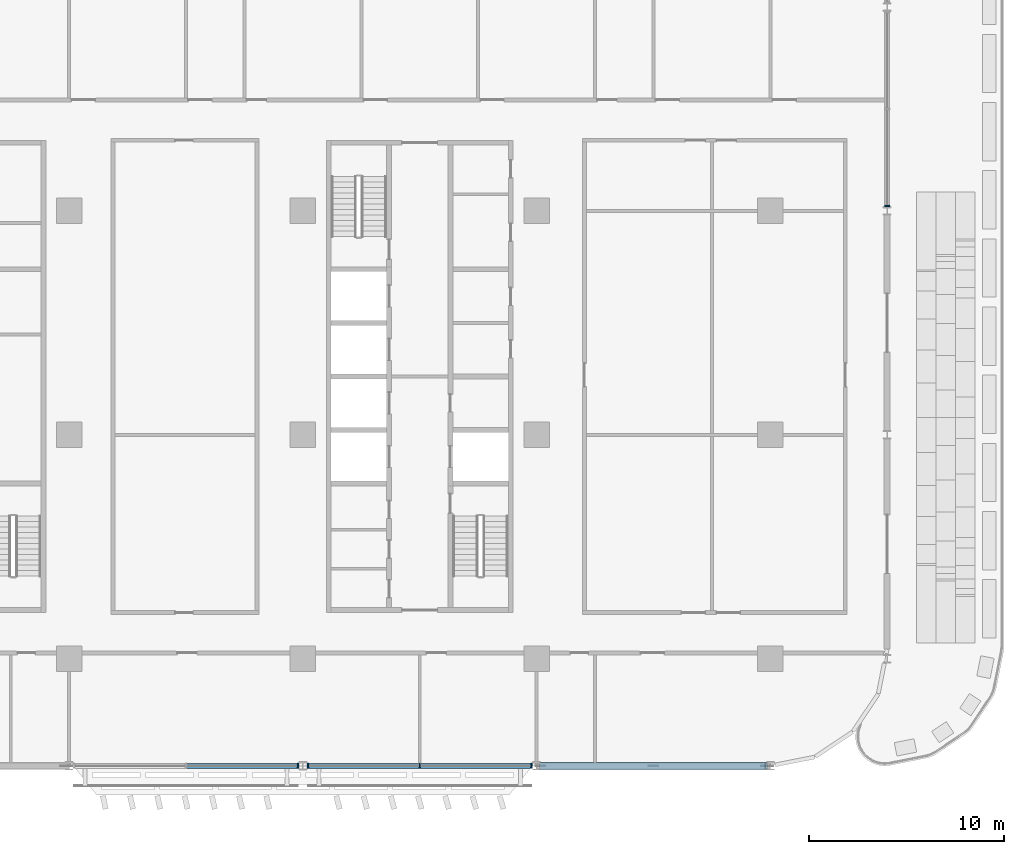
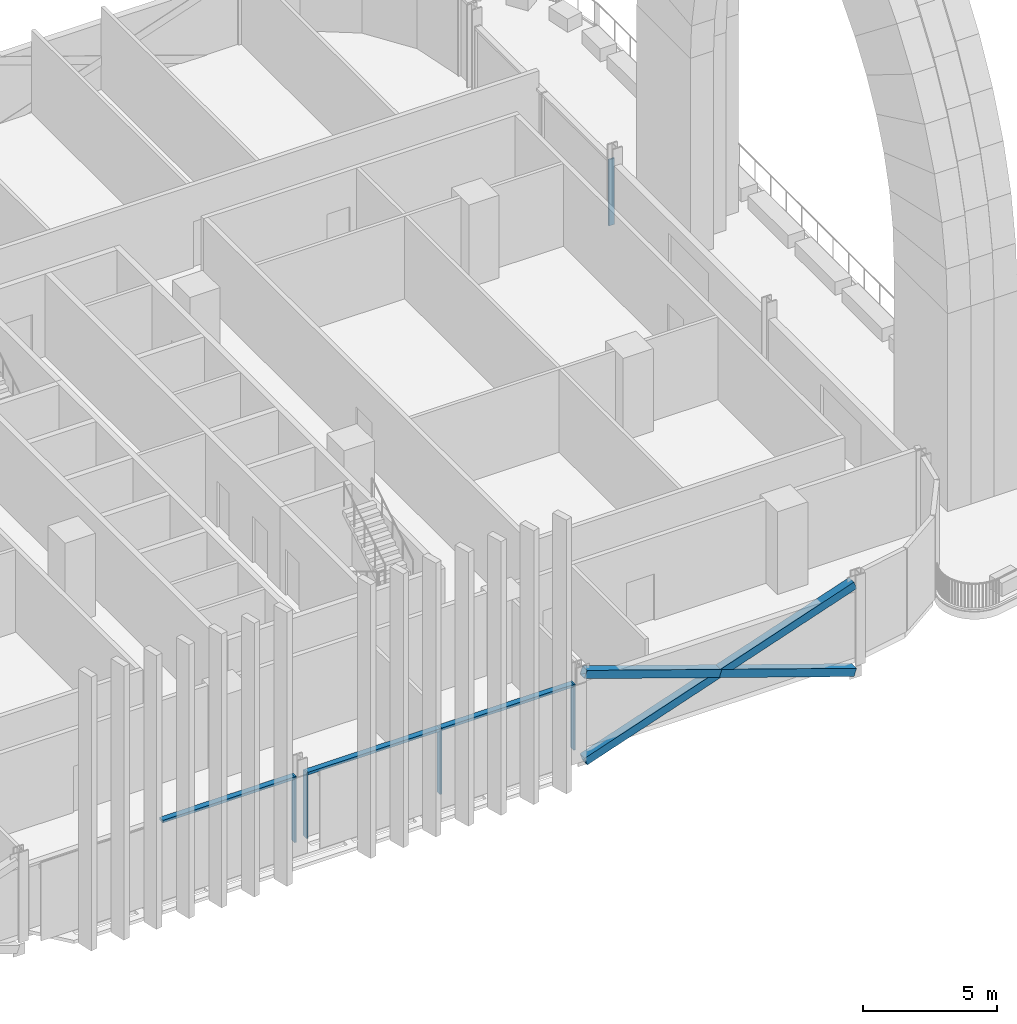
# One storey, part 7 of 33: 11 members, 3 elements without a shape of their own.
"""IFC4 building model written with IfcOpenShell, lengths in metres."""

from ifc_helpers import new_model, si_unit, direction, frame, origin, origin_2d, place, context, subcontext, project, spatial, rectangle, hollow_rectangle, extrude, material, material_profile, profile_set, type_object, element, aggregate, save


model = new_model("IFC4")

# Units and contexts
model_context = context("Model", 3, precision=1e-05, world=origin(), true_north=direction((0.0, 1.0)))
body_context = subcontext(model_context, "Body", "Model", "MODEL_VIEW")
ifc_project = project(units=[si_unit("LENGTHUNIT", "METRE"), si_unit("AREAUNIT", "SQUARE_METRE"), si_unit("VOLUMEUNIT", "CUBIC_METRE"), si_unit("PLANEANGLEUNIT", "RADIAN"), si_unit("MASSUNIT", "GRAM", prefix="KILO")], contexts=[model_context])

# Site, building, storey
site_placement = place(None, origin())
site = spatial("IfcSite", under=ifc_project, at=site_placement, CompositionType="ELEMENT")
building_placement = place(site_placement, origin())
building = spatial("IfcBuilding", under=site, at=building_placement, Name="Mahtab Terrace Research Tower", CompositionType="ELEMENT")
storey_placement = place(building_placement, frame((0.0, 0.0, 122.0)))
storey = spatial("IfcBuildingStorey", under=building, at=storey_placement, Name="L28", CompositionType="ELEMENT", Elevation=122.0)

# Members
ifc_material_1 = material(Name="Steel ASTM A500 Gr C", Category="steel")
ifc_material_profile_1 = material_profile(ifc_material_1, hollow_rectangle(XDim=0.355712890625, YDim=0.355712890625, WallThickness=0.01904296875, at=origin_2d()), Name="HSS14X14X3/4")
ifc_profile_set_1 = profile_set([ifc_material_profile_1], Name="Steel ASTM A500 Gr C")
member_type_1 = type_object("IfcMemberType", Name="HSS 14x14x3/4 brace XB141434", PredefinedType="BRACE", material=ifc_profile_set_1)
member_1_placement = place(storey_placement, frame((30.205810546875, -17.0, -0.648193359375), z_axis=(0.946288278, 0.0, 0.323324132908), x_axis=(0.0, 1.0, 0.0)))
element("IfcMember", 1, at=member_1_placement, inside=storey, type_object=member_type_1, Name="Exoskeleton brace L28 20 a", PredefinedType="BRACE", context=body_context, shape_type="SweptSolid", body=[
    extrude(hollow_rectangle(XDim=0.355712890625, YDim=0.355712890625, WallThickness=0.01904296875, at=origin_2d()), origin(), (0.0, 0.0, 1.0), 12.24609375),
])
for number, where, z_axis, x_axis, name in (
    (2, (41.794189453125, -17.0, -0.648193359375), (-0.946288278, 0.0, 0.323324132908), (0.0, -1.0, 0.0), "Exoskeleton brace L28 20 b1"),
    (3, (36.0, -17.0, 1.33154296875), (-0.946288278, 0.0, 0.323324132908), (0.0, -1.0, 0.0), "Exoskeleton brace L28 20 b2"),
):
    element("IfcMember", number, at=place(storey_placement, frame(where, z_axis=z_axis, x_axis=x_axis)), inside=storey, type_object=member_type_1, Name=name, PredefinedType="BRACE", context=body_context, shape_type="SweptSolid", body=[
        extrude(hollow_rectangle(XDim=0.355712890625, YDim=0.355712890625, WallThickness=0.01904296875, at=origin_2d()), origin(), (0.0, 0.0, 1.0), 6.123046875),
    ])

# Curtain wall, member
ifc_material_2 = material(Name="Sky lounge full-height curtain wall")
curtain_wall_type = type_object("IfcCurtainWallType", Name="Sky lounge full-height curtain wall", PredefinedType="NOTDEFINED", material=ifc_material_2)
curtain_wall_1_placement = place(storey_placement, origin())
curtain_wall_1 = element("IfcCurtainWall", 4, at=curtain_wall_1_placement, inside=storey, type_object=curtain_wall_type, Name="EN.L28.13.28", PredefinedType="NOTDEFINED")
ifc_material_3 = material(Name="Natural anodised aluminium", Category="aluminium")
ifc_material_profile_2 = material_profile(ifc_material_3, rectangle(XDim=0.25, YDim=0.070068359375, at=origin_2d()), Name="MULLION 70x250")
ifc_profile_set_2 = profile_set([ifc_material_profile_2], Name="Natural anodised aluminium")
member_type_2 = type_object("IfcMemberType", Name="Sky lounge full-height curtain wall mullion", PredefinedType="MULLION", material=ifc_profile_set_2)
member_2_placement = place(storey_placement, frame((17.7470703125, -17.0, 0.0), z_axis=(0.0, 0.0, 1.0), x_axis=(0.0, 1.0, 0.0)))
member_2 = element("IfcMember", 5, at=member_2_placement, type_object=member_type_2, Name="CWS-4 mullion 3", PredefinedType="MULLION", context=body_context, shape_type="SweptSolid", body=[
    extrude(rectangle(XDim=0.25, YDim=0.070068359375, at=origin_2d()), origin(), (0.0, 0.0, 1.0), 3.003173828125),
])

# Curtain wall, members
curtain_wall_2_placement = place(storey_placement, origin())
curtain_wall_2 = element("IfcCurtainWall", 6, at=curtain_wall_2_placement, inside=storey, type_object=curtain_wall_type, Name="EN.L28.13.29", PredefinedType="NOTDEFINED")
member_3_placement = place(storey_placement, frame((18.2529296875, -17.0, 0.0), z_axis=(0.0, 0.0, 1.0), x_axis=(0.0, 1.0, 0.0)))
member_3 = element("IfcMember", 7, at=member_3_placement, type_object=member_type_2, Name="CWS-4 mullion 1", PredefinedType="MULLION", context=body_context, shape_type="SweptSolid", body=[
    extrude(rectangle(XDim=0.25, YDim=0.070068359375, at=origin_2d()), origin(), (0.0, 0.0, 1.0), 3.003173828125),
])
member_4_placement = place(storey_placement, frame((24.0, -17.0, 0.0), z_axis=(0.0, 0.0, 1.0), x_axis=(0.0, 1.0, 0.0)))
member_4 = element("IfcMember", 8, at=member_4_placement, type_object=member_type_2, Name="CWS-4 mullion 2", PredefinedType="MULLION", context=body_context, shape_type="SweptSolid", body=[
    extrude(rectangle(XDim=0.25, YDim=0.070068359375, at=origin_2d()), origin(), (0.0, 0.0, 1.0), 3.003173828125),
])
member_5_placement = place(storey_placement, frame((29.7470703125, -17.0, 0.0), z_axis=(0.0, 0.0, 1.0), x_axis=(0.0, 1.0, 0.0)))
member_5 = element("IfcMember", 9, at=member_5_placement, type_object=member_type_2, Name="CWS-4 mullion 3", PredefinedType="MULLION", context=body_context, shape_type="SweptSolid", body=[
    extrude(rectangle(XDim=0.25, YDim=0.070068359375, at=origin_2d()), origin(), (0.0, 0.0, 1.0), 3.003173828125),
])

# Curtain wall, member
curtain_wall_3_placement = place(storey_placement, origin())
curtain_wall_3 = element("IfcCurtainWall", 10, at=curtain_wall_3_placement, inside=storey, type_object=curtain_wall_type, Name="EN.L28.18.38", PredefinedType="NOTDEFINED")
member_6_placement = place(storey_placement, frame((48.0, 11.7529296875, 0.0), z_axis=(0.0, 0.0, 1.0), x_axis=(-1.0, 0.0, 0.0)))
member_6 = element("IfcMember", 11, at=member_6_placement, type_object=member_type_2, Name="CWS-4 mullion 1", PredefinedType="MULLION", context=body_context, shape_type="SweptSolid", body=[
    extrude(rectangle(XDim=0.25, YDim=0.070068359375, at=origin_2d()), origin(), (0.0, 0.0, 1.0), 3.003173828125),
])
aggregate(curtain_wall_3, [member_6])

# Member
ifc_material_profile_3 = material_profile(ifc_material_3, rectangle(XDim=0.25, YDim=0.1201171875, at=origin_2d()), Name="TRANSOM 120x250")
ifc_profile_set_3 = profile_set([ifc_material_profile_3], Name="Natural anodised aluminium")
member_type_3 = type_object("IfcMemberType", Name="Sky lounge full-height curtain wall transom", PredefinedType="USERDEFINED", material=ifc_profile_set_3)
member_7_placement = place(storey_placement, frame((12.034912109375, -17.0, 2.943115234375), z_axis=(1.0, 0.0, 0.0), x_axis=(0.0, 1.0, 0.0)))
member_7 = element("IfcMember", 12, at=member_7_placement, type_object=member_type_3, Name="CWS-4 transom 2", ObjectType="TRANSOM", PredefinedType="USERDEFINED", context=body_context, shape_type="SweptSolid", body=[
    extrude(rectangle(XDim=0.25, YDim=0.1201171875, at=origin_2d()), origin(), (0.0, 0.0, 1.0), 5.677001953125),
])

aggregate(curtain_wall_1, [member_2, member_7])

member_8_placement = place(storey_placement, frame((18.2880859375, -17.0, 2.943115234375), z_axis=(1.0, 0.0, 0.0), x_axis=(0.0, 1.0, 0.0)))
member_8 = element("IfcMember", 13, at=member_8_placement, type_object=member_type_3, Name="CWS-4 transom 1", ObjectType="TRANSOM", PredefinedType="USERDEFINED", context=body_context, shape_type="SweptSolid", body=[
    extrude(rectangle(XDim=0.25, YDim=0.1201171875, at=origin_2d()), origin(), (0.0, 0.0, 1.0), 5.677001953125),
])

member_9_placement = place(storey_placement, frame((24.034912109375, -17.0, 2.943115234375), z_axis=(1.0, 0.0, 0.0), x_axis=(0.0, 1.0, 0.0)))
member_9 = element("IfcMember", 14, at=member_9_placement, type_object=member_type_3, Name="CWS-4 transom 2", ObjectType="TRANSOM", PredefinedType="USERDEFINED", context=body_context, shape_type="SweptSolid", body=[
    extrude(rectangle(XDim=0.25, YDim=0.1201171875, at=origin_2d()), origin(), (0.0, 0.0, 1.0), 5.677001953125),
])

aggregate(curtain_wall_2, [member_3, member_4, member_5, member_8, member_9])

save(model, "model.ifc")
